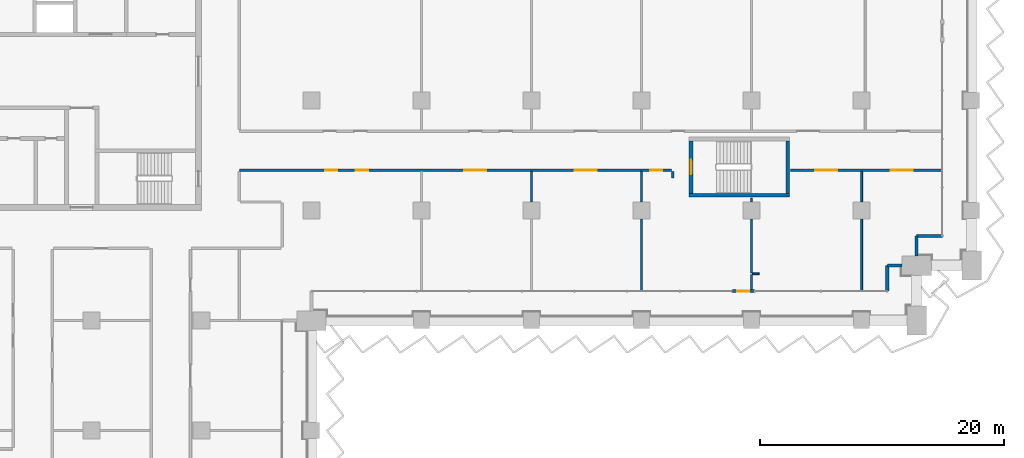
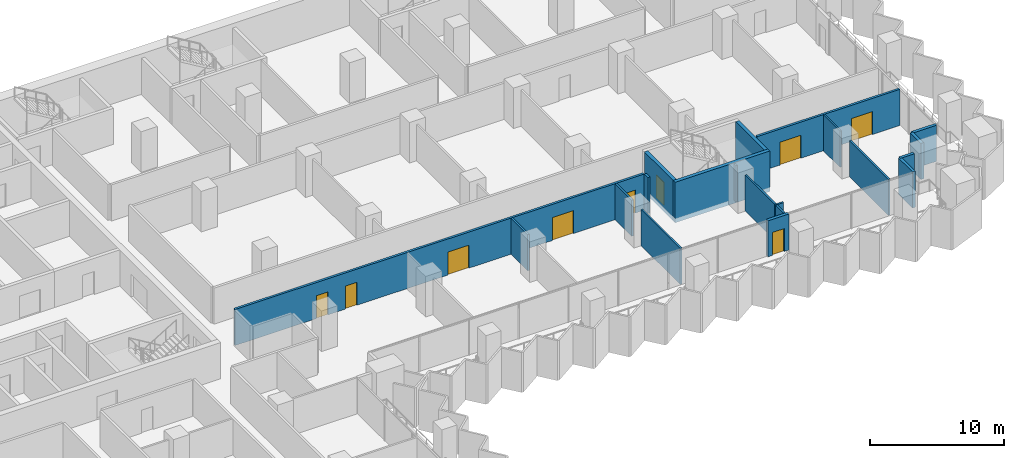
# One storey, part 13 of 28: 20 walls, 9 doors, 9 openings.
"""IFC4 building model written with IfcOpenShell, lengths in metres."""

from ifc_helpers import new_model, si_unit, direction, frame, frame_2d, origin, place, context, subcontext, project, spatial, rectangle, extrude, material, layer, layer_set, type_object, element, fill, save


model = new_model("IFC4")

# Units and contexts
model_context = context("Model", 3, precision=1e-05, world=origin(), true_north=direction((0.0, 1.0)))
body_context = subcontext(model_context, "Body", "Model", "MODEL_VIEW")
ifc_project = project(units=[si_unit("LENGTHUNIT", "METRE"), si_unit("AREAUNIT", "SQUARE_METRE"), si_unit("VOLUMEUNIT", "CUBIC_METRE"), si_unit("PLANEANGLEUNIT", "RADIAN"), si_unit("MASSUNIT", "GRAM", prefix="KILO")], contexts=[model_context])

# Site, building, storey
site_placement = place(None, origin())
site = spatial("IfcSite", under=ifc_project, at=site_placement, CompositionType="ELEMENT")
building_placement = place(site_placement, origin())
building = spatial("IfcBuilding", under=site, at=building_placement, Name="Hunhe Ridgeline Campus", CompositionType="ELEMENT")
storey_placement = place(building_placement, frame((0.0, 0.0, 61.699951171875)))
storey = spatial("IfcBuildingStorey", under=building, at=storey_placement, Name="L14", CompositionType="ELEMENT", Elevation=61.699951171875)

# Walls
ifc_material_1 = material(Name="Concrete C30", Category="concrete")
ifc_layer_1 = layer(ifc_material_1, 0.25)
ifc_layer_set_1 = layer_set([ifc_layer_1], Name="Corner return wall 250 Concrete C30")
wall_type_1 = type_object("IfcWallType", Name="Corner return wall 250 Concrete C30", PredefinedType="SOLIDWALL", material=ifc_layer_set_1)
wall_1_placement = place(storey_placement, frame((92.09912109375, 56.40087890625, 0.0), z_axis=(0.0, 0.0, 1.0), x_axis=(0.00011626555, 0.999999993241, 0.0)))
element("IfcWall", 1, at=wall_1_placement, inside=storey, type_object=wall_type_1, Name="Corner return wall 4", PredefinedType="SOLIDWALL", context=body_context, shape_type="SweptSolid", body=[
    extrude(rectangle(XDim=2.099853515625, YDim=0.25, at=frame_2d((1.0498046875, 0.0))), origin(), (0.0, 0.0, 1.0), 3.300048828125),
])
wall_2_placement = place(storey_placement, frame((92.099365234375, 58.500732421875, 0.0), z_axis=(0.0, 0.0, 1.0), x_axis=(1.0, 0.0, 0.0)))
element("IfcWall", 2, at=wall_2_placement, inside=storey, type_object=wall_type_1, Name="Corner return wall 5", PredefinedType="SOLIDWALL", context=body_context, shape_type="SweptSolid", body=[
    extrude(rectangle(XDim=1.20068359375, YDim=0.25, at=frame_2d((0.600341796875, 0.0))), origin(), (0.0, 0.0, 1.0), 3.300048828125),
])
wall_3_placement = place(storey_placement, frame((94.4990234375, 59.300048828125, 0.0), z_axis=(0.0, 0.0, 1.0), x_axis=(0.00015253203, 0.999999988367, 0.0)))
element("IfcWall", 3, at=wall_3_placement, inside=storey, type_object=wall_type_1, Name="Corner return wall 6", PredefinedType="SOLIDWALL", context=body_context, shape_type="SweptSolid", body=[
    extrude(rectangle(XDim=1.6005859375, YDim=0.25, at=frame_2d((0.80029296875, 0.0))), origin(), (0.0, 0.0, 1.0), 3.300048828125),
])
wall_4_placement = place(storey_placement, frame((94.499267578125, 60.900634765625, 0.0), z_axis=(0.0, 0.0, 1.0), x_axis=(0.999999993241, 0.00011626555, 0.0)))
element("IfcWall", 4, at=wall_4_placement, inside=storey, type_object=wall_type_1, Name="Corner return wall 7", PredefinedType="SOLIDWALL", context=body_context, shape_type="SweptSolid", body=[
    extrude(rectangle(XDim=2.099853515625, YDim=0.25, at=frame_2d((1.0498046875, 0.0))), origin(), (0.0, 0.0, 1.0), 3.300048828125),
])

# Wall, openings, doors
ifc_material_2 = material(Name="Gypsum board partition")
ifc_layer_2 = layer(ifc_material_2, 0.199951171875)
ifc_layer_set_2 = layer_set([ifc_layer_2], Name="Corridor partition 200 gypsum board on steel studs")
wall_type_2 = type_object("IfcWallType", Name="Corridor partition 200 gypsum board on steel studs", PredefinedType="PARTITIONING", material=ifc_layer_set_2)
wall_5_placement = place(storey_placement, frame((74.449951171875, 66.300048828125, 0.0), z_axis=(0.0, 0.0, 1.0), x_axis=(-1.0, 0.0, 0.0)))
wall_5 = element("IfcWall", 5, at=wall_5_placement, inside=storey, type_object=wall_type_2, Name="F-L14-wall-039", PredefinedType="PARTITIONING", context=body_context, shape_type="SweptSolid", body=[
    extrude(rectangle(XDim=35.349853515625, YDim=0.199951171875, at=frame_2d((17.6748046875, 0.0))), origin(), (0.0, 0.0, 1.0), 3.300048828125),
])
opening_1_placement = place(wall_5_placement, frame((27.32861328125, 0.0, 0.0)))
opening_1 = element("IfcOpeningElement", 6, at=opening_1_placement, cuts=wall_5, Name="Opening RD1-023", PredefinedType="OPENING", context=body_context, shape_type="SweptSolid", body=[
    extrude(rectangle(XDim=1.0, YDim=2.10009765625, at=frame_2d((0.5, 1.050048828125))), frame((0.0, 0.10009765625, 0.0), z_axis=(0.0, -1.0, 0.0), x_axis=(1.0, 0.0, 0.0)), (0.0, 0.0, 1.0), 0.199951171875),
])
opening_2_placement = place(wall_5_placement, frame((24.82861328125, 0.0, 0.0)))
opening_2 = element("IfcOpeningElement", 7, at=opening_2_placement, cuts=wall_5, Name="Opening RD1-024", PredefinedType="OPENING", context=body_context, shape_type="SweptSolid", body=[
    extrude(rectangle(XDim=1.0, YDim=2.10009765625, at=frame_2d((0.5, 1.050048828125))), frame((0.0, 0.10009765625, 0.0), z_axis=(0.0, -1.0, 0.0), x_axis=(1.0, 0.0, 0.0)), (0.0, 0.0, 1.0), 0.199951171875),
])
opening_3_placement = place(wall_5_placement, frame((15.1455078125, 0.0, 0.0)))
opening_3 = element("IfcOpeningElement", 8, at=opening_3_placement, cuts=wall_5, Name="Opening RD2-025", PredefinedType="OPENING", context=body_context, shape_type="SweptSolid", body=[
    extrude(rectangle(XDim=1.800048828125, YDim=2.10009765625, at=frame_2d((0.89990234375, 1.050048828125))), frame((0.0, 0.10009765625, 0.0), z_axis=(0.0, -1.0, 0.0), x_axis=(1.0, 0.0, 0.0)), (0.0, 0.0, 1.0), 0.199951171875),
])
opening_4_placement = place(wall_5_placement, frame((6.119873046875, 0.0, 0.0)))
opening_4 = element("IfcOpeningElement", 9, at=opening_4_placement, cuts=wall_5, Name="Opening RD2-026", PredefinedType="OPENING", context=body_context, shape_type="SweptSolid", body=[
    extrude(rectangle(XDim=1.800048828125, YDim=2.10009765625, at=frame_2d((0.89990234375, 1.050048828125))), frame((0.0, 0.10009765625, 0.0), z_axis=(0.0, -1.0, 0.0), x_axis=(1.0, 0.0, 0.0)), (0.0, 0.0, 1.0), 0.199951171875),
])
opening_5_placement = place(wall_5_placement, frame((0.75341796875, 0.0, 0.0)))
opening_5 = element("IfcOpeningElement", 10, at=opening_5_placement, cuts=wall_5, Name="Opening RD1-027", PredefinedType="OPENING", context=body_context, shape_type="SweptSolid", body=[
    extrude(rectangle(XDim=1.0, YDim=2.10009765625, at=frame_2d((0.5, 1.050048828125))), frame((0.0, 0.10009765625, 0.0), z_axis=(0.0, -1.0, 0.0), x_axis=(1.0, 0.0, 0.0)), (0.0, 0.0, 1.0), 0.199951171875),
])
ifc_material_3 = material(Name="Timber door leaf", Category="wood")
door_type_1 = type_object("IfcDoorType", Name="Double fire door 1800x2100 timber FD60", OperationType="DOUBLE_DOOR_SINGLE_SWING", PredefinedType="DOOR", material=ifc_material_3)
door_1_placement = place(opening_3_placement, origin())
door_1 = element("IfcDoor", 11, at=door_1_placement, inside=storey, type_object=door_type_1, Name="F-L14-door-025", OperationType="DOUBLE_DOOR_SINGLE_SWING", OverallHeight=2.10009765625, OverallWidth=1.800048828125, PredefinedType="DOOR", context=body_context, shape_type="SweptSolid", body=[
    extrude(rectangle(XDim=1.800048828125, YDim=2.10009765625, at=frame_2d((0.89990234375, 1.050048828125))), frame((0.0, 0.02490234375, 0.0), z_axis=(0.0, -1.0, 0.0), x_axis=(1.0, 0.0, 0.0)), (0.0, 0.0, 1.0), 0.050048828125),
])
fill(opening_3, door_1)
door_2_placement = place(opening_4_placement, origin())
door_2 = element("IfcDoor", 12, at=door_2_placement, inside=storey, type_object=door_type_1, Name="F-L14-door-026", OperationType="DOUBLE_DOOR_SINGLE_SWING", OverallHeight=2.10009765625, OverallWidth=1.800048828125, PredefinedType="DOOR", context=body_context, shape_type="SweptSolid", body=[
    extrude(rectangle(XDim=1.800048828125, YDim=2.10009765625, at=frame_2d((0.89990234375, 1.050048828125))), frame((0.0, 0.02490234375, 0.0), z_axis=(0.0, -1.0, 0.0), x_axis=(1.0, 0.0, 0.0)), (0.0, 0.0, 1.0), 0.050048828125),
])
fill(opening_4, door_2)
door_type_2 = type_object("IfcDoorType", Name="Single fire door 1000x2100 timber FD60", OperationType="NOTDEFINED", PredefinedType="DOOR", material=ifc_material_3)
door_3_placement = place(opening_1_placement, frame((1.0, 0.0, 0.0), z_axis=(0.0, 0.0, 1.0), x_axis=(-1.0, 0.0, 0.0)))
door_3 = element("IfcDoor", 13, at=door_3_placement, inside=storey, type_object=door_type_2, Name="F-L14-door-023", OperationType="SINGLE_SWING_RIGHT", OverallHeight=2.10009765625, OverallWidth=1.0, PredefinedType="DOOR", context=body_context, shape_type="SweptSolid", body=[
    extrude(rectangle(XDim=1.0, YDim=2.10009765625, at=frame_2d((0.5, 1.050048828125))), frame((0.0, 0.02490234375, 0.0), z_axis=(0.0, -1.0, 0.0), x_axis=(1.0, 0.0, 0.0)), (0.0, 0.0, 1.0), 0.050048828125),
])
fill(opening_1, door_3)
door_4_placement = place(opening_2_placement, frame((1.0, 0.0, 0.0), z_axis=(0.0, 0.0, 1.0), x_axis=(-1.0, 0.0, 0.0)))
door_4 = element("IfcDoor", 14, at=door_4_placement, inside=storey, type_object=door_type_2, Name="F-L14-door-024", OperationType="SINGLE_SWING_RIGHT", OverallHeight=2.10009765625, OverallWidth=1.0, PredefinedType="DOOR", context=body_context, shape_type="SweptSolid", body=[
    extrude(rectangle(XDim=1.0, YDim=2.10009765625, at=frame_2d((0.5, 1.050048828125))), frame((0.0, 0.02490234375, 0.0), z_axis=(0.0, -1.0, 0.0), x_axis=(1.0, 0.0, 0.0)), (0.0, 0.0, 1.0), 0.050048828125),
])
fill(opening_2, door_4)
door_5_placement = place(opening_5_placement, frame((1.0, 0.0, 0.0), z_axis=(0.0, 0.0, 1.0), x_axis=(-1.0, 0.0, 0.0)))
door_5 = element("IfcDoor", 15, at=door_5_placement, inside=storey, type_object=door_type_2, Name="F-L14-door-027", OperationType="SINGLE_SWING_RIGHT", OverallHeight=2.10009765625, OverallWidth=1.0, PredefinedType="DOOR", context=body_context, shape_type="SweptSolid", body=[
    extrude(rectangle(XDim=1.0, YDim=2.10009765625, at=frame_2d((0.5, 1.050048828125))), frame((0.0, 0.02490234375, 0.0), z_axis=(0.0, -1.0, 0.0), x_axis=(1.0, 0.0, 0.0)), (0.0, 0.0, 1.0), 0.050048828125),
])
fill(opening_5, door_5)

wall_6_placement = place(storey_placement, frame((96.544921875, 66.300048828125, 0.0), z_axis=(0.0, 0.0, 1.0), x_axis=(-1.0, 0.0, 0.0)))
wall_6 = element("IfcWall", 16, at=wall_6_placement, inside=storey, type_object=wall_type_2, Name="F-L14-wall-040", PredefinedType="PARTITIONING", context=body_context, shape_type="SweptSolid", body=[
    extrude(rectangle(XDim=12.3408203125, YDim=0.199951171875, at=frame_2d((6.17041015625, 0.0))), origin(), (0.0, 0.0, 1.0), 3.300048828125),
])
opening_6_placement = place(wall_6_placement, frame((8.544677734375, 0.0, 0.0)))
opening_6 = element("IfcOpeningElement", 17, at=opening_6_placement, cuts=wall_6, Name="Opening RD2-028", PredefinedType="OPENING", context=body_context, shape_type="SweptSolid", body=[
    extrude(rectangle(XDim=1.800048828125, YDim=2.10009765625, at=frame_2d((0.89990234375, 1.050048828125))), frame((0.0, 0.10009765625, 0.0), z_axis=(0.0, -1.0, 0.0), x_axis=(1.0, 0.0, 0.0)), (0.0, 0.0, 1.0), 0.199951171875),
])
opening_7_placement = place(wall_6_placement, frame((2.3740234375, 0.0, 0.0)))
opening_7 = element("IfcOpeningElement", 18, at=opening_7_placement, cuts=wall_6, Name="Opening RD2-029", PredefinedType="OPENING", context=body_context, shape_type="SweptSolid", body=[
    extrude(rectangle(XDim=1.800048828125, YDim=2.10009765625, at=frame_2d((0.89990234375, 1.050048828125))), frame((0.0, 0.10009765625, 0.0), z_axis=(0.0, -1.0, 0.0), x_axis=(1.0, 0.0, 0.0)), (0.0, 0.0, 1.0), 0.199951171875),
])
door_6_placement = place(opening_6_placement, origin())
door_6 = element("IfcDoor", 19, at=door_6_placement, inside=storey, type_object=door_type_1, Name="F-L14-door-028", OperationType="DOUBLE_DOOR_SINGLE_SWING", OverallHeight=2.10009765625, OverallWidth=1.800048828125, PredefinedType="DOOR", context=body_context, shape_type="SweptSolid", body=[
    extrude(rectangle(XDim=1.800048828125, YDim=2.10009765625, at=frame_2d((0.89990234375, 1.050048828125))), frame((0.0, 0.02490234375, 0.0), z_axis=(0.0, -1.0, 0.0), x_axis=(1.0, 0.0, 0.0)), (0.0, 0.0, 1.0), 0.050048828125),
])
fill(opening_6, door_6)
door_7_placement = place(opening_7_placement, origin())
door_7 = element("IfcDoor", 20, at=door_7_placement, inside=storey, type_object=door_type_1, Name="F-L14-door-029", OperationType="DOUBLE_DOOR_SINGLE_SWING", OverallHeight=2.10009765625, OverallWidth=1.800048828125, PredefinedType="DOOR", context=body_context, shape_type="SweptSolid", body=[
    extrude(rectangle(XDim=1.800048828125, YDim=2.10009765625, at=frame_2d((0.89990234375, 1.050048828125))), frame((0.0, 0.02490234375, 0.0), z_axis=(0.0, -1.0, 0.0), x_axis=(1.0, 0.0, 0.0)), (0.0, 0.0, 1.0), 0.050048828125),
])
fill(opening_7, door_7)

# Wall
wall_7_placement = place(storey_placement, frame((74.550048828125, 65.64990234375, 0.0), z_axis=(0.0, 0.0, 1.0), x_axis=(0.0, 1.0, 0.0)))
element("IfcWall", 21, at=wall_7_placement, inside=storey, type_object=wall_type_2, Name="F-L14-wall-083", PredefinedType="PARTITIONING", context=body_context, shape_type="SweptSolid", body=[
    extrude(rectangle(XDim=0.550048828125, YDim=0.199951171875, at=frame_2d((0.27490234375, 0.0))), origin(), (0.0, 0.0, 1.0), 3.300048828125),
])

# Wall, opening, door
ifc_layer_3 = layer(ifc_material_1, 0.25)
ifc_layer_set_3 = layer_set([ifc_layer_3], Name="Loggia door pier wall 250 Concrete C30")
wall_type_3 = type_object("IfcWallType", Name="Loggia door pier wall 250 Concrete C30", PredefinedType="SOLIDWALL", material=ifc_layer_set_3)
wall_8_placement = place(storey_placement, frame((79.424072265625, 56.40087890625, 0.0), z_axis=(0.0, 0.0, 1.0), x_axis=(1.0, 0.0, 0.0)))
wall_8 = element("IfcWall", 22, at=wall_8_placement, inside=storey, type_object=wall_type_3, Name="Loggia door pier 4", PredefinedType="SOLIDWALL", context=body_context, shape_type="SweptSolid", body=[
    extrude(rectangle(XDim=1.800048828125, YDim=0.25, at=frame_2d((0.89990234375, 0.0))), origin(), (0.0, 0.0, 1.0), 3.300048828125),
])
opening_8_placement = place(wall_8_placement, frame((0.39990234375, 0.0, 0.0)))
opening_8 = element("IfcOpeningElement", 23, at=opening_8_placement, cuts=wall_8, Name="Opening BD107", PredefinedType="OPENING", context=body_context, shape_type="SweptSolid", body=[
    extrude(rectangle(XDim=1.0, YDim=2.10009765625, at=frame_2d((0.5, 1.050048828125))), frame((0.0, 0.125, 0.0), z_axis=(0.0, -1.0, 0.0), x_axis=(1.0, 0.0, 0.0)), (0.0, 0.0, 1.0), 0.25),
])
ifc_material_4 = material(Name="Aluminium 6063", Category="aluminium")
door_type_3 = type_object("IfcDoorType", Name="Loggia glazed door 1000x2100", OperationType="NOTDEFINED", PredefinedType="DOOR", material=ifc_material_4)
door_8_placement = place(opening_8_placement, frame((1.0, 0.0, 0.0), z_axis=(0.0, 0.0, 1.0), x_axis=(-1.0, 0.0, 0.0)))
door_8 = element("IfcDoor", 24, at=door_8_placement, inside=storey, type_object=door_type_3, Name="Loggia door BD107", OperationType="SINGLE_SWING_RIGHT", OverallHeight=2.10009765625, OverallWidth=1.0, PredefinedType="DOOR", context=body_context, shape_type="SweptSolid", body=[
    extrude(rectangle(XDim=1.0, YDim=2.10009765625, at=frame_2d((0.5, 1.050048828125))), frame((0.0, 0.02490234375, 0.0), z_axis=(0.0, -1.0, 0.0), x_axis=(1.0, 0.0, 0.0)), (0.0, 0.0, 1.0), 0.050048828125),
])
fill(opening_8, door_8)

# Walls
ifc_layer_4 = layer(ifc_material_2, 0.14990234375)
ifc_layer_set_4 = layer_set([ifc_layer_4], Name="Room partition 150 gypsum board on steel studs")
wall_type_4 = type_object("IfcWallType", Name="Room partition 150 gypsum board on steel studs", PredefinedType="PARTITIONING", material=ifc_layer_set_4)
wall_9_placement = place(storey_placement, frame((81.074951171875, 57.825927734375, 0.0), z_axis=(0.0, 0.0, 1.0), x_axis=(1.0, 0.0, 0.0)))
element("IfcWall", 25, at=wall_9_placement, inside=storey, type_object=wall_type_4, Name="F-L14-wall-034", PredefinedType="PARTITIONING", context=body_context, shape_type="SweptSolid", body=[
    extrude(rectangle(XDim=0.549072265625, YDim=0.14990234375, at=frame_2d((0.2744140625, 0.0))), origin(), (0.0, 0.0, 1.0), 3.300048828125),
])
wall_10_placement = place(storey_placement, frame((63.0, 66.199951171875, 0.0), z_axis=(0.0, 0.0, 1.0), x_axis=(0.0, -1.0, 0.0)))
element("IfcWall", 26, at=wall_10_placement, inside=storey, type_object=wall_type_4, Name="F-L14-wall-074", PredefinedType="PARTITIONING", context=body_context, shape_type="SweptSolid", body=[
    extrude(rectangle(XDim=2.5, YDim=0.14990234375, at=frame_2d((1.25, 0.0))), origin(), (0.0, 0.0, 1.0), 3.300048828125),
])
wall_11_placement = place(storey_placement, frame((72.0, 62.300048828125, 0.0), z_axis=(0.0, 0.0, 1.0), x_axis=(0.0, -1.0, 0.0)))
element("IfcWall", 27, at=wall_11_placement, inside=storey, type_object=wall_type_4, Name="F-L14-wall-079", PredefinedType="PARTITIONING", context=body_context, shape_type="SweptSolid", body=[
    extrude(rectangle(XDim=5.84521484375, YDim=0.14990234375, at=frame_2d((2.922607421875, 0.0))), origin(), (0.0, 0.0, 1.0), 3.300048828125),
])
wall_12_placement = place(storey_placement, frame((72.0, 66.199951171875, 0.0), z_axis=(0.0, 0.0, 1.0), x_axis=(0.0, -1.0, 0.0)))
element("IfcWall", 28, at=wall_12_placement, inside=storey, type_object=wall_type_4, Name="F-L14-wall-080", PredefinedType="PARTITIONING", context=body_context, shape_type="SweptSolid", body=[
    extrude(rectangle(XDim=2.5, YDim=0.14990234375, at=frame_2d((1.25, 0.0))), origin(), (0.0, 0.0, 1.0), 3.300048828125),
])
wall_13_placement = place(storey_placement, frame((81.0, 57.7509765625, 0.0), z_axis=(0.0, 0.0, 1.0), x_axis=(0.0, -1.0, 0.0)))
element("IfcWall", 29, at=wall_13_placement, inside=storey, type_object=wall_type_4, Name="F-L14-wall-085", PredefinedType="PARTITIONING", context=body_context, shape_type="SweptSolid", body=[
    extrude(rectangle(XDim=1.205078125, YDim=0.14990234375, at=frame_2d((0.6025390625, 0.0))), origin(), (0.0, 0.0, 1.0), 3.300048828125),
])
wall_14_placement = place(storey_placement, frame((81.0, 62.300048828125, 0.0), z_axis=(0.0, 0.0, 1.0), x_axis=(0.0, -1.0, 0.0)))
element("IfcWall", 30, at=wall_14_placement, inside=storey, type_object=wall_type_4, Name="F-L14-wall-086", PredefinedType="PARTITIONING", context=body_context, shape_type="SweptSolid", body=[
    extrude(rectangle(XDim=4.399169921875, YDim=0.14990234375, at=frame_2d((2.19970703125, 0.0))), origin(), (0.0, 0.0, 1.0), 3.300048828125),
])
wall_15_placement = place(storey_placement, frame((81.0, 63.99609375, 0.0), z_axis=(0.0, 0.0, 1.0), x_axis=(0.0, -1.0, 0.0)))
element("IfcWall", 31, at=wall_15_placement, inside=storey, type_object=wall_type_4, Name="F-L14-wall-087", PredefinedType="PARTITIONING", context=body_context, shape_type="SweptSolid", body=[
    extrude(rectangle(XDim=0.296142578125, YDim=0.14990234375, at=frame_2d((0.14794921875, 0.0))), origin(), (0.0, 0.0, 1.0), 3.300048828125),
])
wall_16_placement = place(storey_placement, frame((90.0, 62.300048828125, 0.0), z_axis=(0.0, 0.0, 1.0), x_axis=(0.0, -1.0, 0.0)))
element("IfcWall", 32, at=wall_16_placement, inside=storey, type_object=wall_type_4, Name="F-L14-wall-092", PredefinedType="PARTITIONING", context=body_context, shape_type="SweptSolid", body=[
    extrude(rectangle(XDim=5.844970703125, YDim=0.14990234375, at=frame_2d((2.92236328125, 0.0))), origin(), (0.0, 0.0, 1.0), 3.300048828125),
])
wall_17_placement = place(storey_placement, frame((90.0, 66.199951171875, 0.0), z_axis=(0.0, 0.0, 1.0), x_axis=(0.0, -1.0, 0.0)))
element("IfcWall", 33, at=wall_17_placement, inside=storey, type_object=wall_type_4, Name="F-L14-wall-093", PredefinedType="PARTITIONING", context=body_context, shape_type="SweptSolid", body=[
    extrude(rectangle(XDim=2.5, YDim=0.14990234375, at=frame_2d((1.25, 0.0))), origin(), (0.0, 0.0, 1.0), 3.300048828125),
])
ifc_material_5 = material(Name="Concrete C80", Category="concrete")
ifc_layer_5 = layer(ifc_material_5, 0.300048828125)
ifc_layer_set_5 = layer_set([ifc_layer_5], Name="Stair wall 300 reinforced concrete C80")
wall_type_5 = type_object("IfcWallType", Name="Stair wall 300 reinforced concrete C80", PredefinedType="SOLIDWALL", material=ifc_layer_set_5)
wall_18_placement = place(storey_placement, frame((75.89990234375, 64.25, -0.39990234375), z_axis=(0.0, 0.0, 1.0), x_axis=(1.0, 0.0, 0.0)))
element("IfcWall", 34, at=wall_18_placement, inside=storey, type_object=wall_type_5, Name="L14 core wall 8", PredefinedType="SOLIDWALL", context=body_context, shape_type="SweptSolid", body=[
    extrude(rectangle(XDim=8.2001953125, YDim=0.300048828125, at=frame_2d((4.10009765625, 0.0))), origin(), (0.0, 0.0, 1.0), 3.699951171875),
])

# Wall, opening, door
wall_19_placement = place(storey_placement, frame((76.050048828125, 64.39990234375, -0.39990234375), z_axis=(0.0, 0.0, 1.0), x_axis=(0.0, 1.0, 0.0)))
wall_19 = element("IfcWall", 35, at=wall_19_placement, inside=storey, type_object=wall_type_5, Name="L14 core wall 70", PredefinedType="SOLIDWALL", context=body_context, shape_type="SweptSolid", body=[
    extrude(rectangle(XDim=4.300048828125, YDim=0.300048828125, at=frame_2d((2.14990234375, 0.0))), origin(), (0.0, 0.0, 1.0), 3.699951171875),
])
opening_9_placement = place(wall_19_placement, frame((1.550048828125, 0.0, 0.39990234375)))
opening_9 = element("IfcOpeningElement", 36, at=opening_9_placement, cuts=wall_19, Name="Opening CD24", PredefinedType="OPENING", context=body_context, shape_type="SweptSolid", body=[
    extrude(rectangle(XDim=1.199951171875, YDim=2.10009765625, at=frame_2d((0.60009765625, 1.050048828125))), frame((0.0, 0.14990234375, 0.0), z_axis=(0.0, -1.0, 0.0), x_axis=(1.0, 0.0, 0.0)), (0.0, 0.0, 1.0), 0.300048828125),
])
ifc_material_6 = material(Name="Hollow metal fire door leaf")
door_type_4 = type_object("IfcDoorType", Name="Stair door 1200x2100 FD60", OperationType="SINGLE_SWING_LEFT", PredefinedType="DOOR", material=ifc_material_6)
door_9_placement = place(opening_9_placement, origin())
door_9 = element("IfcDoor", 37, at=door_9_placement, inside=storey, type_object=door_type_4, Name="L14 door E5", OperationType="SINGLE_SWING_RIGHT", OverallHeight=2.10009765625, OverallWidth=1.199951171875, PredefinedType="DOOR", context=body_context, shape_type="SweptSolid", body=[
    extrude(rectangle(XDim=1.199951171875, YDim=2.10009765625, at=frame_2d((0.60009765625, 1.050048828125))), frame((0.0, 0.02490234375, 0.0), z_axis=(0.0, -1.0, 0.0), x_axis=(1.0, 0.0, 0.0)), (0.0, 0.0, 1.0), 0.050048828125),
])
fill(opening_9, door_9)

# Wall
wall_20_placement = place(storey_placement, frame((83.949951171875, 64.39990234375, -0.39990234375), z_axis=(0.0, 0.0, 1.0), x_axis=(0.0, 1.0, 0.0)))
element("IfcWall", 38, at=wall_20_placement, inside=storey, type_object=wall_type_5, Name="L14 core wall 71", PredefinedType="SOLIDWALL", context=body_context, shape_type="SweptSolid", body=[
    extrude(rectangle(XDim=4.300048828125, YDim=0.300048828125, at=frame_2d((2.14990234375, 0.0))), origin(), (0.0, 0.0, 1.0), 3.699951171875),
])

save(model, "model.ifc")
